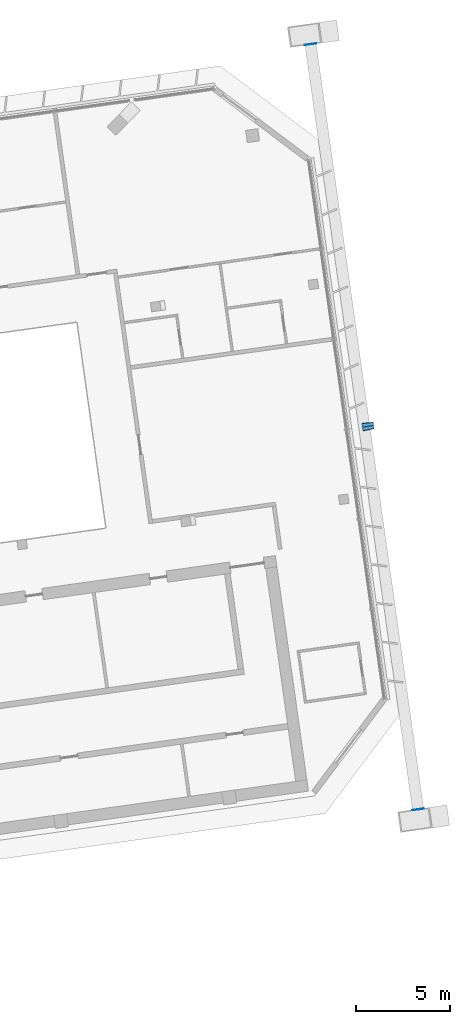
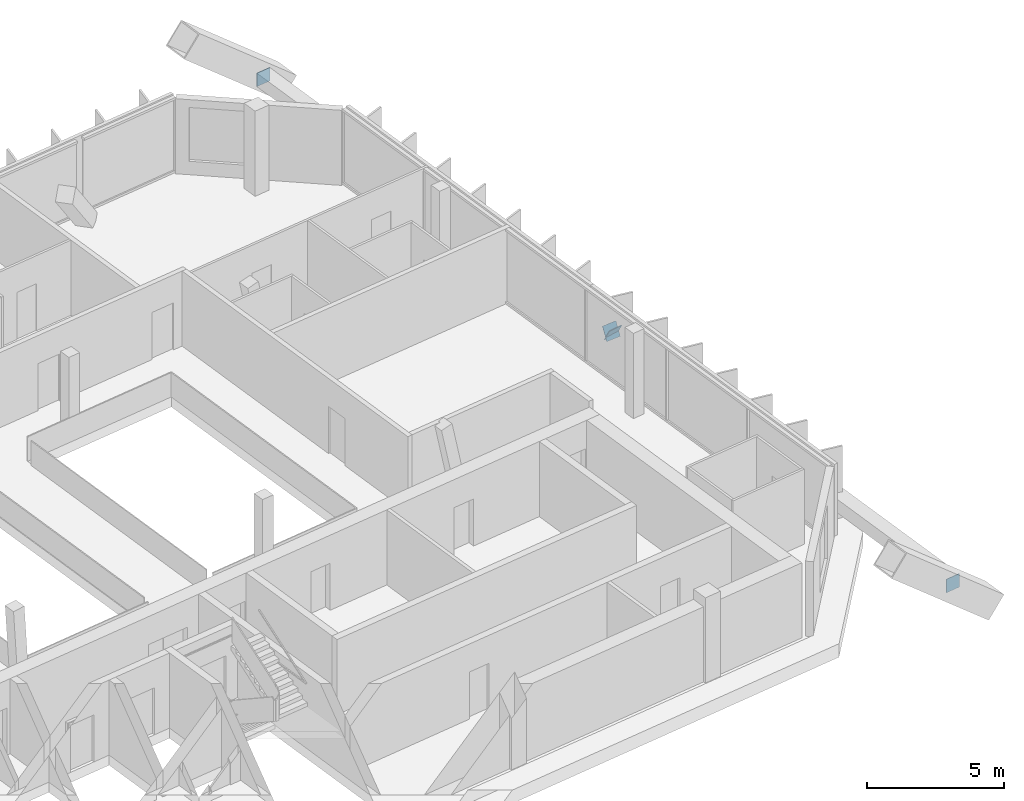
# One storey, part 24 of 26: 4 discrete accessories.
"""IFC4 building model written with IfcOpenShell, lengths in metres."""

from ifc_helpers import new_model, si_unit, direction, frame, origin, origin_2d, place, context, subcontext, project, spatial, rectangle, extrude, material, material_profile, profile_set, type_object, element, save


model = new_model("IFC4")

# Units and contexts
model_context = context("Model", 3, precision=1e-05, world=origin(), true_north=direction((0.0, 1.0)))
body_context = subcontext(model_context, "Body", "Model", "MODEL_VIEW")
ifc_project = project(units=[si_unit("LENGTHUNIT", "METRE"), si_unit("AREAUNIT", "SQUARE_METRE"), si_unit("VOLUMEUNIT", "CUBIC_METRE"), si_unit("PLANEANGLEUNIT", "RADIAN"), si_unit("MASSUNIT", "GRAM", prefix="KILO")], contexts=[model_context])

# Site, building, storey
site_placement = place(None, origin())
site = spatial("IfcSite", under=ifc_project, at=site_placement, CompositionType="ELEMENT")
building_placement = place(site_placement, origin())
building = spatial("IfcBuilding", under=site, at=building_placement, Name="Mirante Cascada Hotel Towers", CompositionType="ELEMENT")
storey_placement = place(building_placement, frame((0.0, 0.0, 228.0)))
storey = spatial("IfcBuildingStorey", under=building, at=storey_placement, Name="L54", CompositionType="ELEMENT", Elevation=228.0)

# Discrete accessories
ifc_material = material(Name="Steel ASTM A572 Gr 50", Category="steel")
ifc_material_profile = material_profile(ifc_material, rectangle(XDim=0.6, YDim=0.6, at=origin_2d()), Name="Connection plate 600x600x25 ASTM A572 Gr 50")
ifc_profile_set = profile_set([ifc_material_profile], Name="Steel ASTM A572 Gr 50")
discrete_accessory_type = type_object("IfcDiscreteAccessoryType", Name="Connection plate 600x600x25 ASTM A572 Gr 50", PredefinedType="BRACKET", material=ifc_profile_set)
for number, where, z_axis, x_axis, name in (
    (1, (75.574, 4.3433, 0.8279), (-0.1640919, 0.8724887, 0.4602578), (-0.98277, -0.1848329, 0.0), "Connection plate MB-OL51L"),
    (2, (75.557, 4.4643, 0.8279), (0.0800218, -0.8842405, 0.4601252), (0.9959301, 0.0901294, 0.0), "Connection plate MB-OL51R"),
):
    element("IfcDiscreteAccessory", number, at=place(storey_placement, frame(where, z_axis=z_axis, x_axis=x_axis)), inside=storey, type_object=discrete_accessory_type, Name=name, PredefinedType="BRACKET", context=body_context, shape_type="SweptSolid", body=[
        extrude(rectangle(XDim=0.6, YDim=0.6, at=origin_2d()), origin(), (0.0, 0.0, 1.0), 0.025),
    ])
discrete_accessory_1_placement = place(storey_placement, frame((78.2205, -15.9068, 1.0), z_axis=(-0.1402989, 0.9901092, 0.0), x_axis=(-0.9901092, -0.1402989, 0.0)))
element("IfcDiscreteAccessory", 3, at=discrete_accessory_1_placement, inside=storey, type_object=discrete_accessory_type, Name="Connection plate NCH", PredefinedType="BRACKET", context=body_context, shape_type="SweptSolid", body=[
    extrude(rectangle(XDim=0.6, YDim=0.6, at=origin_2d()), origin(), (0.0, 0.0, 1.0), 0.0249),
])
discrete_accessory_2_placement = place(storey_placement, frame((72.5228, 24.6347, 1.0), z_axis=(-0.1397442, 0.9901876, 0.0), x_axis=(-0.9901876, -0.1397442, 0.0)))
element("IfcDiscreteAccessory", 4, at=discrete_accessory_2_placement, inside=storey, type_object=discrete_accessory_type, Name="Connection plate NCH", PredefinedType="BRACKET", context=body_context, shape_type="SweptSolid", body=[
    extrude(rectangle(XDim=0.6, YDim=0.6, at=origin_2d()), origin(), (0.0, 0.0, 1.0), 0.025),
])

save(model, "model.ifc")
